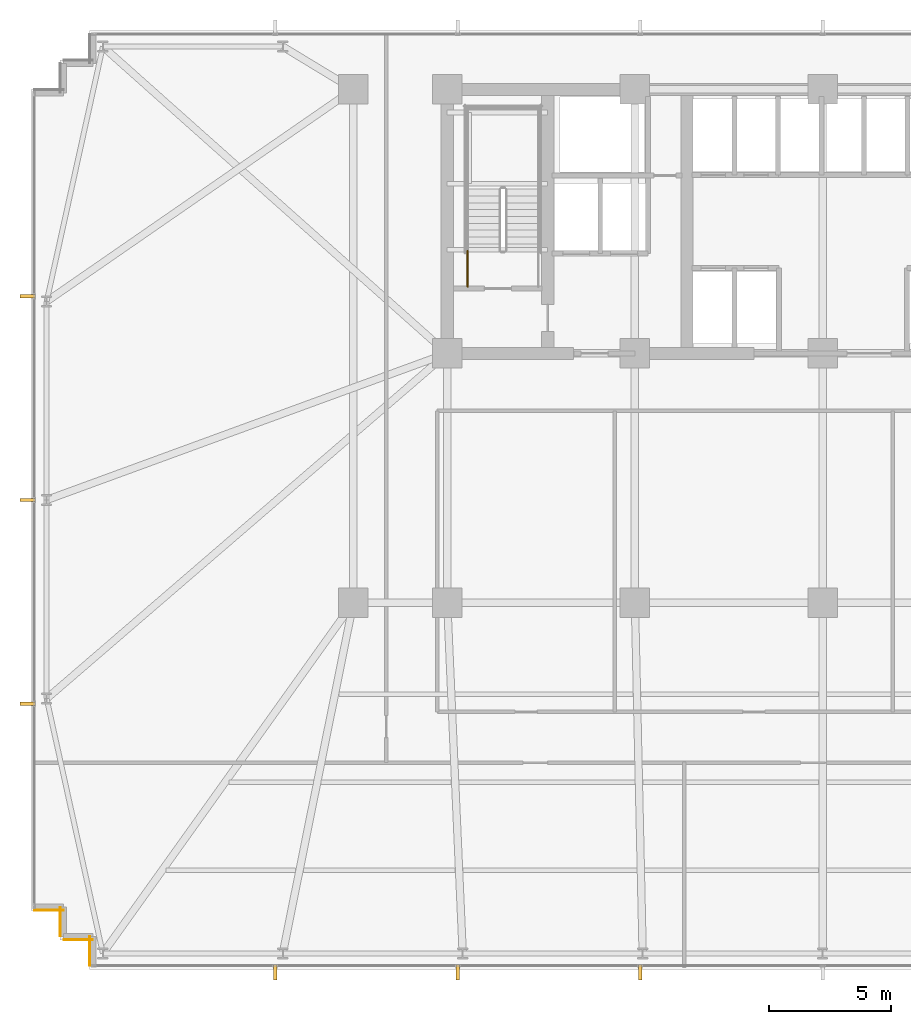
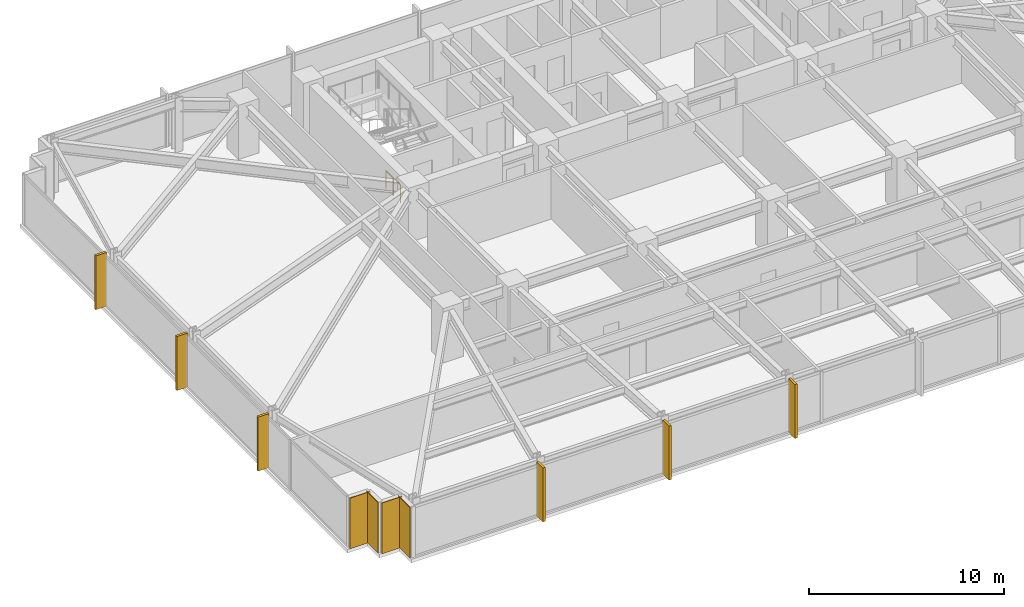
# One storey, part 27 of 32: 6 shading devices, 4 coverings, 1 railing.
"""IFC4 building model written with IfcOpenShell, lengths in metres."""

from ifc_helpers import new_model, si_unit, direction, frame, frame_2d, origin, origin_2d, place, context, subcontext, project, spatial, rectangle, circle, extrude, material, layer, layer_set, type_object, element, save


model = new_model("IFC4")

# Units and contexts
model_context = context("Model", 3, precision=1e-05, world=origin(), true_north=direction((0.0, 1.0)))
body_context = subcontext(model_context, "Body", "Model", "MODEL_VIEW")
ifc_project = project(units=[si_unit("LENGTHUNIT", "METRE"), si_unit("AREAUNIT", "SQUARE_METRE"), si_unit("VOLUMEUNIT", "CUBIC_METRE"), si_unit("PLANEANGLEUNIT", "RADIAN"), si_unit("MASSUNIT", "GRAM", prefix="KILO")], contexts=[model_context])

# Site, building, storey
site_placement = place(None, origin())
site = spatial("IfcSite", under=ifc_project, at=site_placement, CompositionType="ELEMENT")
building_placement = place(site_placement, origin())
building = spatial("IfcBuilding", under=site, at=building_placement, Name="Yelkora Congress Tower", CompositionType="ELEMENT")
storey_placement = place(building_placement, frame((0.0, 0.0, 33.800048828125)))
storey = spatial("IfcBuildingStorey", under=building, at=storey_placement, Name="L07", CompositionType="ELEMENT", Elevation=33.800048828125)

# Coverings
ifc_material_1 = material(Name="Anatolian bush-hammered limestone", Category="masonry")
ifc_layer_1 = layer(ifc_material_1, 0.0400390625)
ifc_layer_set_1 = layer_set([ifc_layer_1], Name="Anatolian bush-hammered limestone")
covering_type = type_object("IfcCoveringType", Name="COV-CLAD-SPANDREL-40", PredefinedType="CLADDING", material=ifc_layer_set_1)
for number, where, z_axis, x_axis, name in (
    (1, (8.405029296875, 10.340087890625, 0.0), (0.0, 0.0, 1.0), (0.0, 1.0, 0.0), "L07 Anatolian Limestone Cladding EW-L07-SR01"),
    (2, (8.5400390625, 11.405029296875, 0.0), (0.0, 0.0, 1.0), (-1.0, 0.0, 0.0), "L07 Anatolian Limestone Cladding EW-L07-SR02"),
    (3, (7.205078125, 11.5400390625, 0.0), (0.0, 0.0, 1.0), (0.0, 1.0, 0.0), "L07 Anatolian Limestone Cladding EW-L07-SR03"),
):
    element("IfcCovering", number, at=place(storey_placement, frame(where, z_axis=z_axis, x_axis=x_axis)), inside=storey, type_object=covering_type, Name=name, PredefinedType="CLADDING", context=body_context, shape_type="SweptSolid", body=[
        extrude(rectangle(XDim=1.199951171875, YDim=0.0400390625, at=frame_2d((0.60009765625, 0.0))), origin(), (0.0, 0.0, 1.0), 3.179931640625),
    ])
covering_placement = place(storey_placement, frame((7.340087890625, 12.60498046875, 0.0), z_axis=(0.0, 0.0, 1.0), x_axis=(-1.0, 0.0, 0.0)))
element("IfcCovering", 4, at=covering_placement, inside=storey, type_object=covering_type, Name="L07 Anatolian Limestone Cladding EW-L07-SR04", PredefinedType="CLADDING", context=body_context, shape_type="SweptSolid", body=[
    extrude(rectangle(XDim=1.2001953125, YDim=0.0400390625, at=frame_2d((0.60009765625, 0.0))), origin(), (0.0, 0.0, 1.0), 3.179931640625),
])

# Railing
ifc_material_2 = material(Name="Painted galvanised steel stair well guard with vertical infill", Category="steel")
ifc_layer_2 = layer(ifc_material_2, 0.06005859375)
ifc_layer_set_2 = layer_set([ifc_layer_2], Name="Painted galvanised steel stair well guard with vertical infill")
railing_type = type_object("IfcRailingType", Name="RAIL-STAIR-GUARD-1120", PredefinedType="GUARDRAIL", material=ifc_layer_set_2)
railing_placement = place(storey_placement, frame((23.8701171875, 38.1201171875, 0.0)))
element("IfcRailing", 5, at=railing_placement, inside=storey, type_object=railing_type, Name="ST-01 L07 Stair Well Guardrail 9", PredefinedType="GUARDRAIL", context=body_context, shape_type="SweptSolid", body=[
    extrude(circle(Radius=0.02392578125, at=origin_2d()), frame((0.0, 0.0, 1.09619140625), z_axis=(0.0, 1.0, 0.0), x_axis=(-1.0, 0.0, 0.0)), (0.0, 0.0, 1.0), 1.47998046875),
    extrude(circle(Radius=0.02099609375, at=origin_2d()), origin(), (0.0, 0.0, 1.0), 1.072021484375),
    extrude(circle(Radius=0.02099609375, at=origin_2d()), frame((0.0, 0.739990234375, 0.0)), (0.0, 0.0, 1.0), 1.072021484375),
    extrude(circle(Radius=0.02099609375, at=origin_2d()), frame((0.0, 1.47998046875, 0.0)), (0.0, 0.0, 1.0), 1.072021484375),
])

# Shading devices
ifc_material_3 = material(Name="Champagne anodised aluminium", Category="aluminium")
ifc_layer_3 = layer(ifc_material_3, 3.39990234375)
ifc_layer_set_3 = layer_set([ifc_layer_3], Name="Champagne anodised aluminium")
shading_device_type = type_object("IfcShadingDeviceType", Name="SHD-FIN-ALU-640", PredefinedType="USERDEFINED", material=ifc_layer_set_3)
for number, where, z_axis, x_axis, name in (
    (6, (5.8798828125, 21.070068359375, -0.030029296875), (0.0, 0.0, 1.0), (0.0, 1.0, 0.0), "L07 Vertical Anodised Solar Fin 5-1"),
    (7, (5.8798828125, 29.39990234375, -0.030029296875), (0.0, 0.0, 1.0), (0.0, 1.0, 0.0), "L07 Vertical Anodised Solar Fin 5-2"),
    (8, (5.8798828125, 37.72998046875, -0.030029296875), (0.0, 0.0, 1.0), (0.0, 1.0, 0.0), "L07 Vertical Anodised Solar Fin 5-3"),
    (9, (30.93505859375, 10.080078125, -0.030029296875), (0.0, 0.0, 1.0), (-1.0, 0.0, 0.0), "L07 Vertical Anodised Solar Fin 20-5"),
    (10, (23.469970703125, 10.080078125, -0.030029296875), (0.0, 0.0, 1.0), (-1.0, 0.0, 0.0), "L07 Vertical Anodised Solar Fin 20-6"),
    (11, (16.0048828125, 10.080078125, -0.030029296875), (0.0, 0.0, 1.0), (-1.0, 0.0, 0.0), "L07 Vertical Anodised Solar Fin 20-7"),
):
    element("IfcShadingDevice", number, at=place(storey_placement, frame(where, z_axis=z_axis, x_axis=x_axis)), inside=storey, type_object=shading_device_type, Name=name, ObjectType="FIN", PredefinedType="USERDEFINED", context=body_context, shape_type="SweptSolid", body=[
        extrude(rectangle(XDim=0.139892578125, YDim=0.639892578125, at=origin_2d()), origin(), (0.0, 0.0, 1.0), 3.3798828125),
    ])

save(model, "model.ifc")
